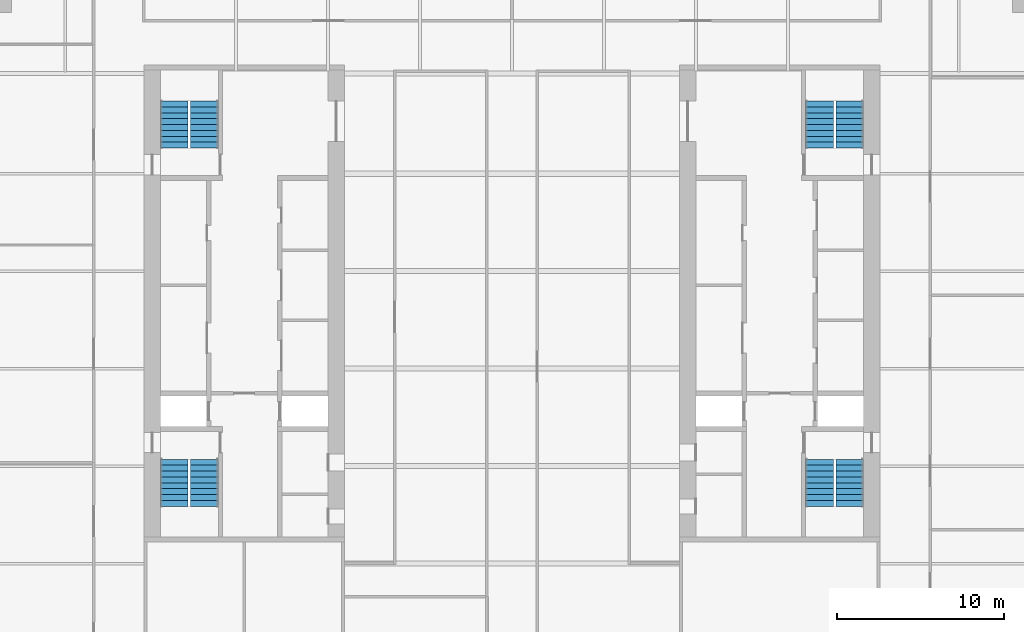
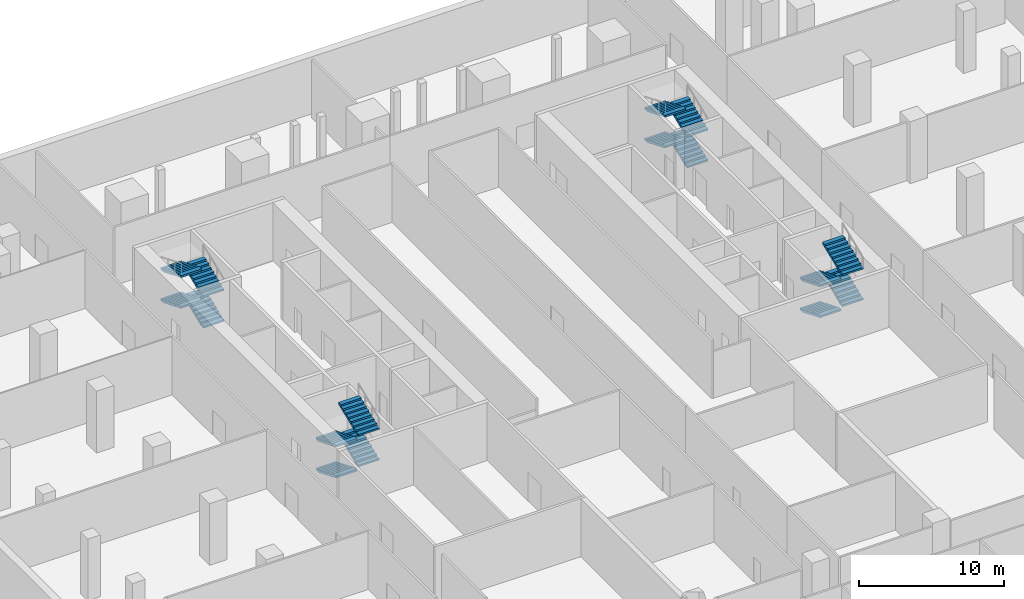
# One storey, part 14 of 15: 16 stair flights, 4 elements without a shape of their own.
"""IFC4 building model written with IfcOpenShell, lengths in metres."""

from ifc_helpers import new_model, si_unit, direction, frame, origin, place, context, subcontext, project, spatial, polyline, outline, extrude, material, type_object, element, aggregate, save


model = new_model("IFC4")

# Units and contexts
model_context = context("Model", 3, precision=1e-05, world=origin(), true_north=direction((0.0, 1.0)))
body_context = subcontext(model_context, "Body", "Model", "MODEL_VIEW")
ifc_project = project(units=[si_unit("LENGTHUNIT", "METRE"), si_unit("AREAUNIT", "SQUARE_METRE"), si_unit("VOLUMEUNIT", "CUBIC_METRE"), si_unit("PLANEANGLEUNIT", "RADIAN"), si_unit("MASSUNIT", "GRAM", prefix="KILO")], contexts=[model_context])

# Site, building, storey
site_placement = place(None, origin())
site = spatial("IfcSite", under=ifc_project, at=site_placement, CompositionType="ELEMENT")
building_placement = place(site_placement, origin())
building = spatial("IfcBuilding", under=site, at=building_placement, Name="Ogive Exchange Tower", CompositionType="ELEMENT")
storey_placement = place(building_placement, frame((0.0, 0.0, -5.199951171875)))
storey = spatial("IfcBuildingStorey", under=building, at=storey_placement, Name="B1", CompositionType="ELEMENT", Elevation=-5.199951171875)

# Stair, stair flights
ifc_material = material(Name="Concrete C40/50", Category="concrete")
stair_type = type_object("IfcStairType", Name="Exit stair 1650 wide", PredefinedType="HALF_TURN_STAIR", material=ifc_material)
stair_1_placement = place(storey_placement, origin())
stair_1 = element("IfcStair", 1, at=stair_1_placement, inside=storey, type_object=stair_type, Name="B1 exit stair ST1", PredefinedType="HALF_TURN_STAIR")
stair_flight_type = type_object("IfcStairFlightType", Name="Stair flight 1650 wide", PredefinedType="STRAIGHT", material=ifc_material)
stair_flight_1_placement = place(storey_placement, frame((-20.175048828125, 2.199951171875, 0.0), z_axis=(0.0, 0.0, 1.0), x_axis=(0.0, -1.0, 0.0)))
stair_flight_1 = element("IfcStairFlight", 2, at=stair_flight_1_placement, type_object=stair_flight_type, Name="ST1 flight 1", NumberOfRisers=9, NumberOfTreads=8, PredefinedType="STRAIGHT", RiserHeight=0.144444444, TreadLength=0.351, context=body_context, shape_type="SweptSolid", body=[
    extrude(outline(polyline([(0.0, 0.0), (0.0, 0.14453125), (0.35107421875, 0.14453125), (0.35107421875, 0.288818359375), (0.701904296875, 0.288818359375), (0.701904296875, 0.433349609375), (1.052978515625, 0.433349609375), (1.052978515625, 0.577880859375), (1.404052734375, 0.577880859375), (1.404052734375, 0.72216796875), (1.7548828125, 0.72216796875), (1.7548828125, 0.86669921875), (2.10595703125, 0.86669921875), (2.10595703125, 1.01123046875), (2.45703125, 1.01123046875), (2.45703125, 1.155517578125), (2.80810546875, 1.155517578125), (2.80810546875, 1.300048828125), (2.80810546875, 0.993408203125), (0.393798828125, 0.0), (0.0, 0.0)])), frame((0.0, 0.824951171875, 0.0), z_axis=(0.0, -1.0, 0.0), x_axis=(1.0, 0.0, 0.0)), (0.0, 0.0, 1.0), 1.64990234375),
])
stair_flight_2_placement = place(storey_placement, frame((-18.375, -0.60791015625, 1.300048828125), z_axis=(0.0, 0.0, 1.0), x_axis=(0.0, 1.0, 0.0)))
stair_flight_2 = element("IfcStairFlight", 3, at=stair_flight_2_placement, type_object=stair_flight_type, Name="ST1 flight 2", NumberOfRisers=9, NumberOfTreads=8, PredefinedType="STRAIGHT", RiserHeight=0.144444444, TreadLength=0.351, context=body_context, shape_type="SweptSolid", body=[
    extrude(outline(polyline([(0.0, 0.0), (0.0, 0.14453125), (0.35107421875, 0.14453125), (0.35107421875, 0.288818359375), (0.701904296875, 0.288818359375), (0.701904296875, 0.433349609375), (1.052978515625, 0.433349609375), (1.052978515625, 0.577880859375), (1.404052734375, 0.577880859375), (1.404052734375, 0.72216796875), (1.7548828125, 0.72216796875), (1.7548828125, 0.86669921875), (2.10595703125, 0.86669921875), (2.10595703125, 1.01123046875), (2.45703125, 1.01123046875), (2.45703125, 1.155517578125), (2.80810546875, 1.155517578125), (2.80810546875, 1.300048828125), (2.80810546875, 0.993408203125), (0.393798828125, 0.0), (0.0, 0.0)])), frame((0.0, 0.824951171875, 0.0), z_axis=(0.0, -1.0, 0.0), x_axis=(1.0, 0.0, 0.0)), (0.0, 0.0, 1.0), 1.64990234375),
])
stair_flight_3_placement = place(storey_placement, frame((-20.175048828125, 2.199951171875, 2.599853515625), z_axis=(0.0, 0.0, 1.0), x_axis=(0.0, -1.0, 0.0)))
stair_flight_3 = element("IfcStairFlight", 4, at=stair_flight_3_placement, type_object=stair_flight_type, Name="ST1 flight 3", NumberOfRisers=9, NumberOfTreads=8, PredefinedType="STRAIGHT", RiserHeight=0.144444444, TreadLength=0.351, context=body_context, shape_type="SweptSolid", body=[
    extrude(outline(polyline([(0.0, 0.0), (0.0, 0.14453125), (0.35107421875, 0.14453125), (0.35107421875, 0.288818359375), (0.701904296875, 0.288818359375), (0.701904296875, 0.433349609375), (1.052978515625, 0.433349609375), (1.052978515625, 0.577880859375), (1.404052734375, 0.577880859375), (1.404052734375, 0.72216796875), (1.7548828125, 0.72216796875), (1.7548828125, 0.86669921875), (2.10595703125, 0.86669921875), (2.10595703125, 1.01123046875), (2.45703125, 1.01123046875), (2.45703125, 1.155517578125), (2.80810546875, 1.155517578125), (2.80810546875, 1.300048828125), (2.80810546875, 0.993408203125), (0.393798828125, 0.0), (0.0, 0.0)])), frame((0.0, 0.824951171875, 0.0), z_axis=(0.0, -1.0, 0.0), x_axis=(1.0, 0.0, 0.0)), (0.0, 0.0, 1.0), 1.64990234375),
])
stair_flight_4_placement = place(storey_placement, frame((-18.375, -0.60791015625, 3.89990234375), z_axis=(0.0, 0.0, 1.0), x_axis=(0.0, 1.0, 0.0)))
stair_flight_4 = element("IfcStairFlight", 5, at=stair_flight_4_placement, type_object=stair_flight_type, Name="ST1 flight 4", NumberOfRisers=9, NumberOfTreads=8, PredefinedType="STRAIGHT", RiserHeight=0.144444444, TreadLength=0.351, context=body_context, shape_type="SweptSolid", body=[
    extrude(outline(polyline([(0.0, 0.0), (0.0, 0.14453125), (0.35107421875, 0.14453125), (0.35107421875, 0.288818359375), (0.701904296875, 0.288818359375), (0.701904296875, 0.433349609375), (1.052978515625, 0.433349609375), (1.052978515625, 0.577880859375), (1.404052734375, 0.577880859375), (1.404052734375, 0.72216796875), (1.7548828125, 0.72216796875), (1.7548828125, 0.86669921875), (2.10595703125, 0.86669921875), (2.10595703125, 1.01123046875), (2.45703125, 1.01123046875), (2.45703125, 1.155517578125), (2.80810546875, 1.155517578125), (2.80810546875, 1.300048828125), (2.80810546875, 0.993408203125), (0.393798828125, 0.0), (0.0, 0.0)])), frame((0.0, 0.824951171875, 0.0), z_axis=(0.0, -1.0, 0.0), x_axis=(1.0, 0.0, 0.0)), (0.0, 0.0, 1.0), 1.64990234375),
])
aggregate(stair_1, [stair_flight_1, stair_flight_2, stair_flight_3, stair_flight_4])

stair_2_placement = place(storey_placement, origin())
stair_2 = element("IfcStair", 6, at=stair_2_placement, inside=storey, type_object=stair_type, Name="B1 exit stair ST2", PredefinedType="HALF_TURN_STAIR")
stair_flight_5_placement = place(storey_placement, frame((-18.375, 20.800048828125, 0.0), z_axis=(0.0, 0.0, 1.0), x_axis=(0.0, 1.0, 0.0)))
stair_flight_5 = element("IfcStairFlight", 7, at=stair_flight_5_placement, type_object=stair_flight_type, Name="ST2 flight 1", NumberOfRisers=9, NumberOfTreads=8, PredefinedType="STRAIGHT", RiserHeight=0.144444444, TreadLength=0.351, context=body_context, shape_type="SweptSolid", body=[
    extrude(outline(polyline([(0.0, 0.0), (0.0, 0.14453125), (0.35107421875, 0.14453125), (0.35107421875, 0.288818359375), (0.701904296875, 0.288818359375), (0.701904296875, 0.433349609375), (1.052978515625, 0.433349609375), (1.052978515625, 0.577880859375), (1.404052734375, 0.577880859375), (1.404052734375, 0.72216796875), (1.7548828125, 0.72216796875), (1.7548828125, 0.86669921875), (2.10595703125, 0.86669921875), (2.10595703125, 1.01123046875), (2.45703125, 1.01123046875), (2.45703125, 1.155517578125), (2.80810546875, 1.155517578125), (2.80810546875, 1.300048828125), (2.80810546875, 0.993408203125), (0.393798828125, 0.0), (0.0, 0.0)])), frame((0.0, 0.824951171875, 0.0), z_axis=(0.0, -1.0, 0.0), x_axis=(1.0, 0.0, 0.0)), (0.0, 0.0, 1.0), 1.64990234375),
])
stair_flight_6_placement = place(storey_placement, frame((-20.175048828125, 23.60791015625, 1.300048828125), z_axis=(0.0, 0.0, 1.0), x_axis=(0.0, -1.0, 0.0)))
stair_flight_6 = element("IfcStairFlight", 8, at=stair_flight_6_placement, type_object=stair_flight_type, Name="ST2 flight 2", NumberOfRisers=9, NumberOfTreads=8, PredefinedType="STRAIGHT", RiserHeight=0.144444444, TreadLength=0.351, context=body_context, shape_type="SweptSolid", body=[
    extrude(outline(polyline([(0.0, 0.0), (0.0, 0.14453125), (0.35107421875, 0.14453125), (0.35107421875, 0.288818359375), (0.701904296875, 0.288818359375), (0.701904296875, 0.433349609375), (1.052978515625, 0.433349609375), (1.052978515625, 0.577880859375), (1.404052734375, 0.577880859375), (1.404052734375, 0.72216796875), (1.7548828125, 0.72216796875), (1.7548828125, 0.86669921875), (2.10595703125, 0.86669921875), (2.10595703125, 1.01123046875), (2.45703125, 1.01123046875), (2.45703125, 1.155517578125), (2.80810546875, 1.155517578125), (2.80810546875, 1.300048828125), (2.80810546875, 0.993408203125), (0.393798828125, 0.0), (0.0, 0.0)])), frame((0.0, 0.824951171875, 0.0), z_axis=(0.0, -1.0, 0.0), x_axis=(1.0, 0.0, 0.0)), (0.0, 0.0, 1.0), 1.64990234375),
])
stair_flight_7_placement = place(storey_placement, frame((-18.375, 20.800048828125, 2.599853515625), z_axis=(0.0, 0.0, 1.0), x_axis=(0.0, 1.0, 0.0)))
stair_flight_7 = element("IfcStairFlight", 9, at=stair_flight_7_placement, type_object=stair_flight_type, Name="ST2 flight 3", NumberOfRisers=9, NumberOfTreads=8, PredefinedType="STRAIGHT", RiserHeight=0.144444444, TreadLength=0.351, context=body_context, shape_type="SweptSolid", body=[
    extrude(outline(polyline([(0.0, 0.0), (0.0, 0.14453125), (0.35107421875, 0.14453125), (0.35107421875, 0.288818359375), (0.701904296875, 0.288818359375), (0.701904296875, 0.433349609375), (1.052978515625, 0.433349609375), (1.052978515625, 0.577880859375), (1.404052734375, 0.577880859375), (1.404052734375, 0.72216796875), (1.7548828125, 0.72216796875), (1.7548828125, 0.86669921875), (2.10595703125, 0.86669921875), (2.10595703125, 1.01123046875), (2.45703125, 1.01123046875), (2.45703125, 1.155517578125), (2.80810546875, 1.155517578125), (2.80810546875, 1.300048828125), (2.80810546875, 0.993408203125), (0.393798828125, 0.0), (0.0, 0.0)])), frame((0.0, 0.824951171875, 0.0), z_axis=(0.0, -1.0, 0.0), x_axis=(1.0, 0.0, 0.0)), (0.0, 0.0, 1.0), 1.64990234375),
])
stair_flight_8_placement = place(storey_placement, frame((-20.175048828125, 23.60791015625, 3.89990234375), z_axis=(0.0, 0.0, 1.0), x_axis=(0.0, -1.0, 0.0)))
stair_flight_8 = element("IfcStairFlight", 10, at=stair_flight_8_placement, type_object=stair_flight_type, Name="ST2 flight 4", NumberOfRisers=9, NumberOfTreads=8, PredefinedType="STRAIGHT", RiserHeight=0.144444444, TreadLength=0.351, context=body_context, shape_type="SweptSolid", body=[
    extrude(outline(polyline([(0.0, 0.0), (0.0, 0.14453125), (0.35107421875, 0.14453125), (0.35107421875, 0.288818359375), (0.701904296875, 0.288818359375), (0.701904296875, 0.433349609375), (1.052978515625, 0.433349609375), (1.052978515625, 0.577880859375), (1.404052734375, 0.577880859375), (1.404052734375, 0.72216796875), (1.7548828125, 0.72216796875), (1.7548828125, 0.86669921875), (2.10595703125, 0.86669921875), (2.10595703125, 1.01123046875), (2.45703125, 1.01123046875), (2.45703125, 1.155517578125), (2.80810546875, 1.155517578125), (2.80810546875, 1.300048828125), (2.80810546875, 0.993408203125), (0.393798828125, 0.0), (0.0, 0.0)])), frame((0.0, 0.824951171875, 0.0), z_axis=(0.0, -1.0, 0.0), x_axis=(1.0, 0.0, 0.0)), (0.0, 0.0, 1.0), 1.64990234375),
])
aggregate(stair_2, [stair_flight_5, stair_flight_6, stair_flight_7, stair_flight_8])

stair_3_placement = place(storey_placement, origin())
stair_3 = element("IfcStair", 11, at=stair_3_placement, inside=storey, type_object=stair_type, Name="B1 exit stair ST3", PredefinedType="HALF_TURN_STAIR")
stair_flight_9_placement = place(storey_placement, frame((18.375, 2.199951171875, 0.0), z_axis=(0.0, 0.0, 1.0), x_axis=(0.0, -1.0, 0.0)))
stair_flight_9 = element("IfcStairFlight", 12, at=stair_flight_9_placement, type_object=stair_flight_type, Name="ST3 flight 1", NumberOfRisers=9, NumberOfTreads=8, PredefinedType="STRAIGHT", RiserHeight=0.144444444, TreadLength=0.351, context=body_context, shape_type="SweptSolid", body=[
    extrude(outline(polyline([(0.0, 0.0), (0.0, 0.14453125), (0.35107421875, 0.14453125), (0.35107421875, 0.288818359375), (0.701904296875, 0.288818359375), (0.701904296875, 0.433349609375), (1.052978515625, 0.433349609375), (1.052978515625, 0.577880859375), (1.404052734375, 0.577880859375), (1.404052734375, 0.72216796875), (1.7548828125, 0.72216796875), (1.7548828125, 0.86669921875), (2.10595703125, 0.86669921875), (2.10595703125, 1.01123046875), (2.45703125, 1.01123046875), (2.45703125, 1.155517578125), (2.80810546875, 1.155517578125), (2.80810546875, 1.300048828125), (2.80810546875, 0.993408203125), (0.393798828125, 0.0), (0.0, 0.0)])), frame((0.0, 0.824951171875, 0.0), z_axis=(0.0, -1.0, 0.0), x_axis=(1.0, 0.0, 0.0)), (0.0, 0.0, 1.0), 1.64990234375),
])
stair_flight_10_placement = place(storey_placement, frame((20.175048828125, -0.60791015625, 1.300048828125), z_axis=(0.0, 0.0, 1.0), x_axis=(0.0, 1.0, 0.0)))
stair_flight_10 = element("IfcStairFlight", 13, at=stair_flight_10_placement, type_object=stair_flight_type, Name="ST3 flight 2", NumberOfRisers=9, NumberOfTreads=8, PredefinedType="STRAIGHT", RiserHeight=0.144444444, TreadLength=0.351, context=body_context, shape_type="SweptSolid", body=[
    extrude(outline(polyline([(0.0, 0.0), (0.0, 0.14453125), (0.35107421875, 0.14453125), (0.35107421875, 0.288818359375), (0.701904296875, 0.288818359375), (0.701904296875, 0.433349609375), (1.052978515625, 0.433349609375), (1.052978515625, 0.577880859375), (1.404052734375, 0.577880859375), (1.404052734375, 0.72216796875), (1.7548828125, 0.72216796875), (1.7548828125, 0.86669921875), (2.10595703125, 0.86669921875), (2.10595703125, 1.01123046875), (2.45703125, 1.01123046875), (2.45703125, 1.155517578125), (2.80810546875, 1.155517578125), (2.80810546875, 1.300048828125), (2.80810546875, 0.993408203125), (0.393798828125, 0.0), (0.0, 0.0)])), frame((0.0, 0.824951171875, 0.0), z_axis=(0.0, -1.0, 0.0), x_axis=(1.0, 0.0, 0.0)), (0.0, 0.0, 1.0), 1.64990234375),
])
stair_flight_11_placement = place(storey_placement, frame((18.375, 2.199951171875, 2.599853515625), z_axis=(0.0, 0.0, 1.0), x_axis=(0.0, -1.0, 0.0)))
stair_flight_11 = element("IfcStairFlight", 14, at=stair_flight_11_placement, type_object=stair_flight_type, Name="ST3 flight 3", NumberOfRisers=9, NumberOfTreads=8, PredefinedType="STRAIGHT", RiserHeight=0.144444444, TreadLength=0.351, context=body_context, shape_type="SweptSolid", body=[
    extrude(outline(polyline([(0.0, 0.0), (0.0, 0.14453125), (0.35107421875, 0.14453125), (0.35107421875, 0.288818359375), (0.701904296875, 0.288818359375), (0.701904296875, 0.433349609375), (1.052978515625, 0.433349609375), (1.052978515625, 0.577880859375), (1.404052734375, 0.577880859375), (1.404052734375, 0.72216796875), (1.7548828125, 0.72216796875), (1.7548828125, 0.86669921875), (2.10595703125, 0.86669921875), (2.10595703125, 1.01123046875), (2.45703125, 1.01123046875), (2.45703125, 1.155517578125), (2.80810546875, 1.155517578125), (2.80810546875, 1.300048828125), (2.80810546875, 0.993408203125), (0.393798828125, 0.0), (0.0, 0.0)])), frame((0.0, 0.824951171875, 0.0), z_axis=(0.0, -1.0, 0.0), x_axis=(1.0, 0.0, 0.0)), (0.0, 0.0, 1.0), 1.64990234375),
])
stair_flight_12_placement = place(storey_placement, frame((20.175048828125, -0.60791015625, 3.89990234375), z_axis=(0.0, 0.0, 1.0), x_axis=(0.0, 1.0, 0.0)))
stair_flight_12 = element("IfcStairFlight", 15, at=stair_flight_12_placement, type_object=stair_flight_type, Name="ST3 flight 4", NumberOfRisers=9, NumberOfTreads=8, PredefinedType="STRAIGHT", RiserHeight=0.144444444, TreadLength=0.351, context=body_context, shape_type="SweptSolid", body=[
    extrude(outline(polyline([(0.0, 0.0), (0.0, 0.14453125), (0.35107421875, 0.14453125), (0.35107421875, 0.288818359375), (0.701904296875, 0.288818359375), (0.701904296875, 0.433349609375), (1.052978515625, 0.433349609375), (1.052978515625, 0.577880859375), (1.404052734375, 0.577880859375), (1.404052734375, 0.72216796875), (1.7548828125, 0.72216796875), (1.7548828125, 0.86669921875), (2.10595703125, 0.86669921875), (2.10595703125, 1.01123046875), (2.45703125, 1.01123046875), (2.45703125, 1.155517578125), (2.80810546875, 1.155517578125), (2.80810546875, 1.300048828125), (2.80810546875, 0.993408203125), (0.393798828125, 0.0), (0.0, 0.0)])), frame((0.0, 0.824951171875, 0.0), z_axis=(0.0, -1.0, 0.0), x_axis=(1.0, 0.0, 0.0)), (0.0, 0.0, 1.0), 1.64990234375),
])
aggregate(stair_3, [stair_flight_9, stair_flight_10, stair_flight_11, stair_flight_12])

stair_4_placement = place(storey_placement, origin())
stair_4 = element("IfcStair", 16, at=stair_4_placement, inside=storey, type_object=stair_type, Name="B1 exit stair ST4", PredefinedType="HALF_TURN_STAIR")
stair_flight_13_placement = place(storey_placement, frame((20.175048828125, 20.800048828125, 0.0), z_axis=(0.0, 0.0, 1.0), x_axis=(0.0, 1.0, 0.0)))
stair_flight_13 = element("IfcStairFlight", 17, at=stair_flight_13_placement, type_object=stair_flight_type, Name="ST4 flight 1", NumberOfRisers=9, NumberOfTreads=8, PredefinedType="STRAIGHT", RiserHeight=0.144444444, TreadLength=0.351, context=body_context, shape_type="SweptSolid", body=[
    extrude(outline(polyline([(0.0, 0.0), (0.0, 0.14453125), (0.35107421875, 0.14453125), (0.35107421875, 0.288818359375), (0.701904296875, 0.288818359375), (0.701904296875, 0.433349609375), (1.052978515625, 0.433349609375), (1.052978515625, 0.577880859375), (1.404052734375, 0.577880859375), (1.404052734375, 0.72216796875), (1.7548828125, 0.72216796875), (1.7548828125, 0.86669921875), (2.10595703125, 0.86669921875), (2.10595703125, 1.01123046875), (2.45703125, 1.01123046875), (2.45703125, 1.155517578125), (2.80810546875, 1.155517578125), (2.80810546875, 1.300048828125), (2.80810546875, 0.993408203125), (0.393798828125, 0.0), (0.0, 0.0)])), frame((0.0, 0.824951171875, 0.0), z_axis=(0.0, -1.0, 0.0), x_axis=(1.0, 0.0, 0.0)), (0.0, 0.0, 1.0), 1.64990234375),
])
stair_flight_14_placement = place(storey_placement, frame((18.375, 23.60791015625, 1.300048828125), z_axis=(0.0, 0.0, 1.0), x_axis=(0.0, -1.0, 0.0)))
stair_flight_14 = element("IfcStairFlight", 18, at=stair_flight_14_placement, type_object=stair_flight_type, Name="ST4 flight 2", NumberOfRisers=9, NumberOfTreads=8, PredefinedType="STRAIGHT", RiserHeight=0.144444444, TreadLength=0.351, context=body_context, shape_type="SweptSolid", body=[
    extrude(outline(polyline([(0.0, 0.0), (0.0, 0.14453125), (0.35107421875, 0.14453125), (0.35107421875, 0.288818359375), (0.701904296875, 0.288818359375), (0.701904296875, 0.433349609375), (1.052978515625, 0.433349609375), (1.052978515625, 0.577880859375), (1.404052734375, 0.577880859375), (1.404052734375, 0.72216796875), (1.7548828125, 0.72216796875), (1.7548828125, 0.86669921875), (2.10595703125, 0.86669921875), (2.10595703125, 1.01123046875), (2.45703125, 1.01123046875), (2.45703125, 1.155517578125), (2.80810546875, 1.155517578125), (2.80810546875, 1.300048828125), (2.80810546875, 0.993408203125), (0.393798828125, 0.0), (0.0, 0.0)])), frame((0.0, 0.824951171875, 0.0), z_axis=(0.0, -1.0, 0.0), x_axis=(1.0, 0.0, 0.0)), (0.0, 0.0, 1.0), 1.64990234375),
])
stair_flight_15_placement = place(storey_placement, frame((20.175048828125, 20.800048828125, 2.599853515625), z_axis=(0.0, 0.0, 1.0), x_axis=(0.0, 1.0, 0.0)))
stair_flight_15 = element("IfcStairFlight", 19, at=stair_flight_15_placement, type_object=stair_flight_type, Name="ST4 flight 3", NumberOfRisers=9, NumberOfTreads=8, PredefinedType="STRAIGHT", RiserHeight=0.144444444, TreadLength=0.351, context=body_context, shape_type="SweptSolid", body=[
    extrude(outline(polyline([(0.0, 0.0), (0.0, 0.14453125), (0.35107421875, 0.14453125), (0.35107421875, 0.288818359375), (0.701904296875, 0.288818359375), (0.701904296875, 0.433349609375), (1.052978515625, 0.433349609375), (1.052978515625, 0.577880859375), (1.404052734375, 0.577880859375), (1.404052734375, 0.72216796875), (1.7548828125, 0.72216796875), (1.7548828125, 0.86669921875), (2.10595703125, 0.86669921875), (2.10595703125, 1.01123046875), (2.45703125, 1.01123046875), (2.45703125, 1.155517578125), (2.80810546875, 1.155517578125), (2.80810546875, 1.300048828125), (2.80810546875, 0.993408203125), (0.393798828125, 0.0), (0.0, 0.0)])), frame((0.0, 0.824951171875, 0.0), z_axis=(0.0, -1.0, 0.0), x_axis=(1.0, 0.0, 0.0)), (0.0, 0.0, 1.0), 1.64990234375),
])
stair_flight_16_placement = place(storey_placement, frame((18.375, 23.60791015625, 3.89990234375), z_axis=(0.0, 0.0, 1.0), x_axis=(0.0, -1.0, 0.0)))
stair_flight_16 = element("IfcStairFlight", 20, at=stair_flight_16_placement, type_object=stair_flight_type, Name="ST4 flight 4", NumberOfRisers=9, NumberOfTreads=8, PredefinedType="STRAIGHT", RiserHeight=0.144444444, TreadLength=0.351, context=body_context, shape_type="SweptSolid", body=[
    extrude(outline(polyline([(0.0, 0.0), (0.0, 0.14453125), (0.35107421875, 0.14453125), (0.35107421875, 0.288818359375), (0.701904296875, 0.288818359375), (0.701904296875, 0.433349609375), (1.052978515625, 0.433349609375), (1.052978515625, 0.577880859375), (1.404052734375, 0.577880859375), (1.404052734375, 0.72216796875), (1.7548828125, 0.72216796875), (1.7548828125, 0.86669921875), (2.10595703125, 0.86669921875), (2.10595703125, 1.01123046875), (2.45703125, 1.01123046875), (2.45703125, 1.155517578125), (2.80810546875, 1.155517578125), (2.80810546875, 1.300048828125), (2.80810546875, 0.993408203125), (0.393798828125, 0.0), (0.0, 0.0)])), frame((0.0, 0.824951171875, 0.0), z_axis=(0.0, -1.0, 0.0), x_axis=(1.0, 0.0, 0.0)), (0.0, 0.0, 1.0), 1.64990234375),
])
aggregate(stair_4, [stair_flight_13, stair_flight_14, stair_flight_15, stair_flight_16])

save(model, "model.ifc")
